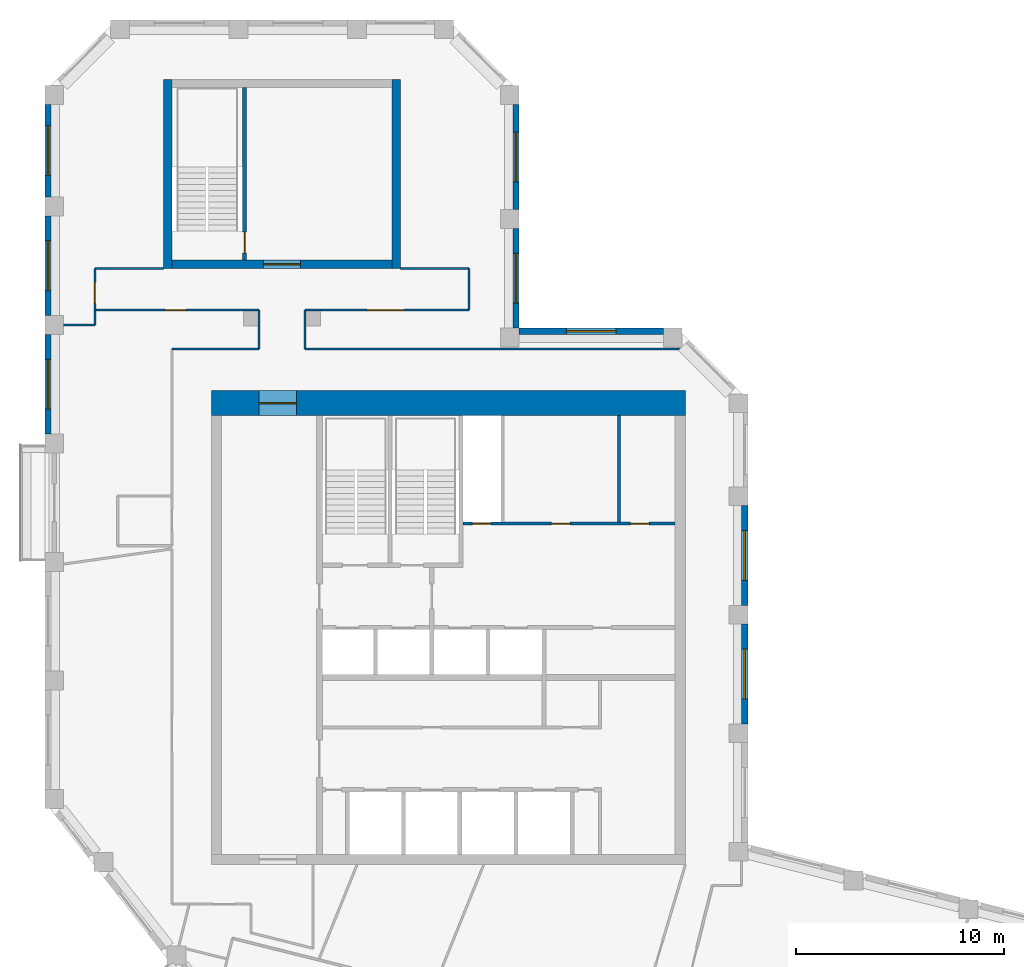
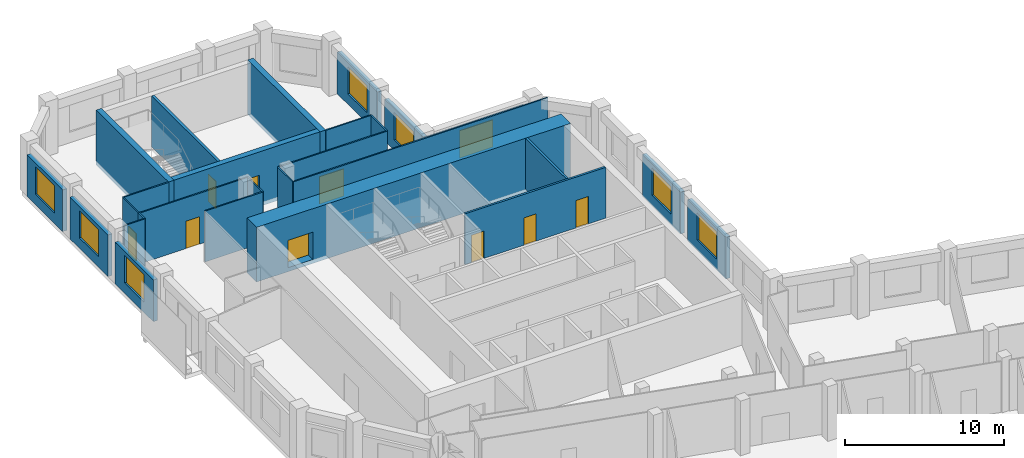
# One storey, part 10 of 13: 27 walls, 9 doors, 8 windows, 17 openings.
"""IFC4 building model written with IfcOpenShell, lengths in metres."""

import ifcopenshell
import ifcopenshell.guid

model = None  # the IFC model being written
_history = None  # IfcOwnerHistory: only IFC2X3 demands one
_inside = {}  # id of a spatial element -> (the spatial element, [elements in it])
_under = {}  # id of a project, library or spatial element -> (it, [spatial elements below it])
_declared = {}  # id of a project -> (the project, [libraries it declares])
_typed = {}  # id of a type object -> (the type object, [elements of that type])
_made_of = {}  # id of a material, layer set ... -> (it, [elements and type objects made of it])


def new_model(schema):
    """Start an empty IFC model of exactly this schema.

    Asked for "IFC4X3", IfcOpenShell would pick the latest addendum, in which some entities
    have other attributes; the version numbers below select the first issue.
    IFC2X3 requires an IfcOwnerHistory on every rooted entity: one is made here for all.
    """
    global model, _history
    if schema == "IFC4X3":
        model = ifcopenshell.file(schema_version=(4, 3, 0, 0))
    else:
        model = ifcopenshell.file(schema=schema)
    _inside.clear()
    _under.clear()
    _declared.clear()
    _typed.clear()
    _made_of.clear()
    _history = None
    if model.schema == "IFC2X3":
        org = make("IfcOrganization", Name="unknown")
        user = make(
            "IfcPersonAndOrganization",
            ThePerson=make("IfcPerson", FamilyName="unknown"),
            TheOrganization=org,
        )
        app = make(
            "IfcApplication",
            ApplicationDeveloper=org,
            Version="unknown",
            ApplicationFullName="unknown",
            ApplicationIdentifier="unknown",
        )
        _history = make(
            "IfcOwnerHistory",
            OwningUser=user,
            OwningApplication=app,
            ChangeAction="ADDED",
            CreationDate=0,
        )
    return model


def make(cls, **values):
    """One entity of the class cls with the attributes given. An attribute that is None is left unset."""
    return model.create_entity(
        cls, **{name: value for name, value in values.items() if value is not None}
    )


def rooted(cls, **values):
    """An entity with a GlobalId (a new one), such as an element, a storey or a relation."""
    return make(cls, GlobalId=ifcopenshell.guid.new(), OwnerHistory=_history, **values)


def si_unit(unit_type, name, prefix=None):
    """IfcSIUnit, for example si_unit("LENGTHUNIT", "METRE", prefix="MILLI")."""
    return make("IfcSIUnit", UnitType=unit_type, Prefix=prefix, Name=name)


def assignment(units):
    """IfcUnitAssignment: the units of a project."""
    return None if units is None else make("IfcUnitAssignment", Units=units)


def point(xyz):
    """IfcCartesianPoint."""
    return None if xyz is None else make("IfcCartesianPoint", Coordinates=xyz)


def direction(xyz):
    """IfcDirection."""
    return None if xyz is None else make("IfcDirection", DirectionRatios=xyz)


def frame(location, z_axis=None, x_axis=None):
    """IfcAxis2Placement3D, a coordinate frame: its origin and axes. An axis left out is left unset."""
    return make(
        "IfcAxis2Placement3D",
        Location=point(location),
        Axis=direction(z_axis),
        RefDirection=direction(x_axis),
    )


def frame_2d(location, x_axis=None):
    """IfcAxis2Placement2D, a coordinate frame in the plane: its origin and x axis."""
    return make(
        "IfcAxis2Placement2D", Location=point(location), RefDirection=direction(x_axis)
    )


def origin():
    """The frame at (0, 0, 0) with its axes left unset."""
    return frame((0.0, 0.0, 0.0))


def place(relative_to, where):
    """IfcLocalPlacement: puts the frame where relative to a parent placement (None: the world)."""
    return make(
        "IfcLocalPlacement", PlacementRelTo=relative_to, RelativePlacement=where
    )


def context(
    kind, dimensions, precision=None, world=None, true_north=None, identifier=None
):
    """IfcGeometricRepresentationContext, for example the 3D "Model" context."""
    return make(
        "IfcGeometricRepresentationContext",
        ContextIdentifier=identifier,
        ContextType=kind,
        CoordinateSpaceDimension=dimensions,
        Precision=precision,
        WorldCoordinateSystem=world,
        TrueNorth=true_north,
    )


def subcontext(parent, identifier, kind, view, scale=None):
    """IfcGeometricRepresentationSubContext, for example "Body" below "Model"."""
    return make(
        "IfcGeometricRepresentationSubContext",
        ContextIdentifier=identifier,
        ContextType=kind,
        ParentContext=parent,
        TargetScale=scale,
        TargetView=view,
    )


def project(units=None, contexts=None):
    """IfcProject with its units and contexts."""
    return rooted(
        "IfcProject",
        Name="project",
        RepresentationContexts=contexts,
        UnitsInContext=assignment(units),
    )


def spatial(cls, under=None, at=None, **own):
    """A site, building, storey or space (cls), placed at a placement, below another one or the project."""
    s = rooted(cls, ObjectPlacement=at, **own)
    if under is not None:
        _under.setdefault(under.id(), (under, []))[1].append(s)
    return s


def profile(cls, at=None, kind="AREA", **sizes):
    """A parametric profile (cls). Its sizes go by their IFC names, for example OverallWidth=200.0."""
    return make(cls, ProfileType=kind, Position=at, **sizes)


def rectangle(**sizes):
    """IfcRectangleProfileDef."""
    return profile("IfcRectangleProfileDef", **sizes)


def extrude(swept, where, along, depth):
    """IfcExtrudedAreaSolid: the profile swept, set in the frame where, extruded along a direction by depth."""
    return make(
        "IfcExtrudedAreaSolid",
        SweptArea=swept,
        Position=where,
        ExtrudedDirection=direction(along),
        Depth=depth,
    )


def shape(context_of_items, identifier, shape_type, items):
    """IfcShapeRepresentation: the items that make up one representation, for example the "Body"."""
    return make(
        "IfcShapeRepresentation",
        ContextOfItems=context_of_items,
        RepresentationIdentifier=identifier,
        RepresentationType=shape_type,
        Items=items,
    )


def material(Name=None, Category=None):
    """IfcMaterial."""
    return make("IfcMaterial", Name=Name, Category=Category)


def layer(
    of_material, thickness, ventilated=None, Name=None, Category=None, Priority=None
):
    """IfcMaterialLayer: one layer of a wall or slab, of a material (None: an air gap)."""
    return make(
        "IfcMaterialLayer",
        Material=of_material,
        LayerThickness=thickness,
        IsVentilated=ventilated,
        Name=Name,
        Category=Category,
        Priority=Priority,
    )


def layer_set(layers, Name=None):
    """IfcMaterialLayerSet."""
    return make("IfcMaterialLayerSet", MaterialLayers=layers, LayerSetName=Name)


def made_of(thing, what):
    """Note that an element or type object is made of a material, layer set ...; save() writes the relation."""
    if what is not None:
        _made_of.setdefault(what.id(), (what, []))[1].append(thing)
    return thing


def type_object(cls, material=None, **own):
    """A type object (cls), such as IfcWallType, which elements share."""
    return made_of(rooted(cls, **own), material)


def element(
    cls,
    number,
    at=None,
    inside=None,
    cuts=None,
    type_object=None,
    material=None,
    context=None,
    identifier="Body",
    shape_type=None,
    held_by="IfcProductDefinitionShape",
    body=None,
    shapes=None,
    **own,
):
    """One element of the class cls, such as IfcWall. Its Tag is "e" and its number.

    at: its placement. inside: the storey or other place that contains it. cuts: it is an
    opening in that element (IfcRelVoidsElement). A single representation is given by context,
    identifier, shape_type and body (its items); several are given by shapes. held_by: the class
    of the entity that holds the representations. save() writes the other relations.
    """
    e = rooted(cls, Tag="e%d" % number, ObjectPlacement=at, **own)
    if body is not None:
        shapes = [shape(context, identifier, shape_type, body)]
    if shapes is not None:
        e.Representation = make(held_by, Representations=shapes)
    if inside is not None:
        _inside.setdefault(inside.id(), (inside, []))[1].append(e)
    if cuts is not None:
        rooted(
            "IfcRelVoidsElement", RelatingBuildingElement=cuts, RelatedOpeningElement=e
        )
    if type_object is not None:
        _typed.setdefault(type_object.id(), (type_object, []))[1].append(e)
    return made_of(e, material)


def fill(opening, filler):
    """IfcRelFillsElement: the door or window that sits in an opening."""
    return rooted(
        "IfcRelFillsElement",
        RelatingOpeningElement=opening,
        RelatedBuildingElement=filler,
    )


def aggregate(whole, parts):
    """IfcRelAggregates: a whole, such as a stair, and the parts it consists of."""
    return rooted("IfcRelAggregates", RelatingObject=whole, RelatedObjects=parts)


def save(model, path):
    """Write the relations noted so far, then the file.

    IfcRelAggregates (storeys below a building ...), IfcRelContainedInSpatialStructure (elements
    in a storey), IfcRelDefinesByType, IfcRelAssociatesMaterial and IfcRelDeclares: one each for
    every whole, place, type object, material and project.
    """
    for whole, parts in _under.values():
        aggregate(whole, parts)
    for where, things in _inside.values():
        rooted(
            "IfcRelContainedInSpatialStructure",
            RelatedElements=things,
            RelatingStructure=where,
        )
    for kind, things in _typed.values():
        rooted("IfcRelDefinesByType", RelatedObjects=things, RelatingType=kind)
    for what, things in _made_of.values():
        rooted("IfcRelAssociatesMaterial", RelatedObjects=things, RelatingMaterial=what)
    for by, libraries in _declared.values():
        rooted("IfcRelDeclares", RelatingContext=by, RelatedDefinitions=libraries)
    model.write(path)


model = new_model("IFC4")

# Units and contexts
model_context = context("Model", 3, precision=1e-05, world=origin(), true_north=direction((0.0, 1.0)))
body_context = subcontext(model_context, "Body", "Model", "MODEL_VIEW")
ifc_project = project(units=[si_unit("LENGTHUNIT", "METRE"), si_unit("AREAUNIT", "SQUARE_METRE"), si_unit("VOLUMEUNIT", "CUBIC_METRE"), si_unit("PLANEANGLEUNIT", "RADIAN"), si_unit("MASSUNIT", "GRAM", prefix="KILO")], contexts=[model_context])

# Site, building, storey
site_placement = place(None, origin())
site = spatial("IfcSite", under=ifc_project, at=site_placement, CompositionType="ELEMENT")
building_placement = place(site_placement, origin())
building = spatial("IfcBuilding", under=site, at=building_placement, Name="Meshkara Civic Tower", CompositionType="ELEMENT")
storey_placement = place(building_placement, frame((0.0, 0.0, 383.39990234375)))
storey = spatial("IfcBuildingStorey", under=building, at=storey_placement, Name="L88", CompositionType="ELEMENT", Elevation=383.39990234375)

# Wall, openings, doors
ifc_material_1 = material(Name="Blockwork", Category="masonry")
ifc_layer_1 = layer(ifc_material_1, 0.14990234375)
ifc_layer_set_1 = layer_set([ifc_layer_1], Name="Core partition 150")
wall_type_1 = type_object("IfcWallType", Name="Core partition 150", PredefinedType="PARTITIONING", material=ifc_layer_set_1)
wall_1_placement = place(storey_placement, frame((20.10009765625, 30.5, 0.0), z_axis=(0.0, 0.0, 1.0), x_axis=(1.0, 0.0, 0.0)))
wall_1 = element("IfcWall", 1, at=wall_1_placement, inside=storey, type_object=wall_type_1, Name="L88-C010", PredefinedType="PARTITIONING", context=body_context, shape_type="SweptSolid", body=[
    extrude(rectangle(XDim=10.199951171875, YDim=0.14990234375, at=frame_2d((5.10009765625, 0.0))), origin(), (0.0, 0.0, 1.0), 3.900146484375),
])
opening_1_placement = place(wall_1_placement, frame((0.449951171875, 0.0, 0.0)))
opening_1 = element("IfcOpeningElement", 2, at=opening_1_placement, cuts=wall_1, Name="Opening L88-K014", PredefinedType="OPENING", context=body_context, shape_type="SweptSolid", body=[
    extrude(rectangle(XDim=0.89990234375, YDim=2.10009765625, at=frame_2d((0.449951171875, 1.050048828125))), frame((0.0, 0.0849609375, 0.0), z_axis=(0.0, -1.0, 0.0), x_axis=(1.0, 0.0, 0.0)), (0.0, 0.0, 1.0), 0.169921875),
])
opening_2_placement = place(wall_1_placement, frame((4.25, 0.0, 0.0)))
opening_2 = element("IfcOpeningElement", 3, at=opening_2_placement, cuts=wall_1, Name="Opening L88-K015", PredefinedType="OPENING", context=body_context, shape_type="SweptSolid", body=[
    extrude(rectangle(XDim=0.89990234375, YDim=2.10009765625, at=frame_2d((0.449951171875, 1.050048828125))), frame((0.0, 0.0849609375, 0.0), z_axis=(0.0, -1.0, 0.0), x_axis=(1.0, 0.0, 0.0)), (0.0, 0.0, 1.0), 0.169921875),
])
opening_3_placement = place(wall_1_placement, frame((8.050048828125, 0.0, 0.0)))
opening_3 = element("IfcOpeningElement", 4, at=opening_3_placement, cuts=wall_1, Name="Opening L88-K016", PredefinedType="OPENING", context=body_context, shape_type="SweptSolid", body=[
    extrude(rectangle(XDim=0.89990234375, YDim=2.10009765625, at=frame_2d((0.449951171875, 1.050048828125))), frame((0.0, 0.0849609375, 0.0), z_axis=(0.0, -1.0, 0.0), x_axis=(1.0, 0.0, 0.0)), (0.0, 0.0, 1.0), 0.169921875),
])
ifc_material_2 = material(Name="Timber door leaf in steel frame", Category="steel")
door_type_1 = type_object("IfcDoorType", Name="Core room door 900", OperationType="SINGLE_SWING_LEFT", PredefinedType="DOOR", material=ifc_material_2)
door_1_placement = place(opening_2_placement, origin())
door_1 = element("IfcDoor", 5, at=door_1_placement, inside=storey, type_object=door_type_1, Name="L88-K015", OperationType="SINGLE_SWING_RIGHT", OverallHeight=2.10009765625, OverallWidth=0.89990234375, PredefinedType="DOOR", context=body_context, shape_type="SweptSolid", body=[
    extrude(rectangle(XDim=0.89990234375, YDim=2.10009765625, at=frame_2d((0.449951171875, 1.050048828125))), frame((0.0, 0.02490234375, 0.0), z_axis=(0.0, -1.0, 0.0), x_axis=(1.0, 0.0, 0.0)), (0.0, 0.0, 1.0), 0.050048828125),
])
fill(opening_2, door_1)
door_2_placement = place(opening_3_placement, origin())
door_2 = element("IfcDoor", 6, at=door_2_placement, inside=storey, type_object=door_type_1, Name="L88-K016", OperationType="SINGLE_SWING_RIGHT", OverallHeight=2.10009765625, OverallWidth=0.89990234375, PredefinedType="DOOR", context=body_context, shape_type="SweptSolid", body=[
    extrude(rectangle(XDim=0.89990234375, YDim=2.10009765625, at=frame_2d((0.449951171875, 1.050048828125))), frame((0.0, 0.02490234375, 0.0), z_axis=(0.0, -1.0, 0.0), x_axis=(1.0, 0.0, 0.0)), (0.0, 0.0, 1.0), 0.050048828125),
])
fill(opening_3, door_2)
ifc_material_3 = material(Name="Fire-rated door leaf in steel frame", Category="steel")
door_type_2 = type_object("IfcDoorType", Name="Riser door 900", OperationType="SINGLE_SWING_LEFT", PredefinedType="DOOR", material=ifc_material_3)
door_3_placement = place(opening_1_placement, origin())
door_3 = element("IfcDoor", 7, at=door_3_placement, inside=storey, type_object=door_type_2, Name="L88-K014", OperationType="SINGLE_SWING_RIGHT", OverallHeight=2.10009765625, OverallWidth=0.89990234375, PredefinedType="DOOR", context=body_context, shape_type="SweptSolid", body=[
    extrude(rectangle(XDim=0.89990234375, YDim=2.10009765625, at=frame_2d((0.449951171875, 1.050048828125))), frame((0.0, 0.02490234375, 0.0), z_axis=(0.0, -1.0, 0.0), x_axis=(1.0, 0.0, 0.0)), (0.0, 0.0, 1.0), 0.050048828125),
])
fill(opening_1, door_3)

# Wall
wall_2_placement = place(storey_placement, frame((27.60009765625, 30.574951171875, 0.0), z_axis=(0.0, 0.0, 1.0), x_axis=(0.0, 1.0, 0.0)))
element("IfcWall", 8, at=wall_2_placement, inside=storey, type_object=wall_type_1, Name="L88-C026", PredefinedType="PARTITIONING", context=body_context, shape_type="SweptSolid", body=[
    extrude(rectangle(XDim=5.125, YDim=0.14990234375, at=frame_2d((2.5625, 0.0))), origin(), (0.0, 0.0, 1.0), 3.900146484375),
])

# Wall, opening, door
ifc_material_4 = material(Name="Concrete C50", Category="concrete")
ifc_layer_2 = layer(ifc_material_4, 1.199951171875)
ifc_layer_set_2 = layer_set([ifc_layer_2], Name="Core ring wall 1200 C50")
wall_type_2 = type_object("IfcWallType", Name="Core ring wall 1200 C50", PredefinedType="SHEAR", material=ifc_layer_set_2)
wall_3_placement = place(storey_placement, frame((8.0, 36.300048828125, -0.2998046875), z_axis=(0.0, 0.0, 1.0), x_axis=(1.0, 0.0, 0.0)))
wall_3 = element("IfcWall", 9, at=wall_3_placement, inside=storey, type_object=wall_type_2, Name="L88-C002", PredefinedType="SHEAR", context=body_context, shape_type="SweptSolid", body=[
    extrude(rectangle(XDim=22.800048828125, YDim=1.199951171875, at=frame_2d((11.39990234375, 0.0))), origin(), (0.0, 0.0, 1.0), 4.199951171875),
])
opening_4_placement = place(wall_3_placement, frame((2.300048828125, 0.0, 0.300048828125)))
opening_4 = element("IfcOpeningElement", 10, at=opening_4_placement, cuts=wall_3, Name="Opening L88-K022", PredefinedType="OPENING", context=body_context, shape_type="SweptSolid", body=[
    extrude(rectangle(XDim=1.800048828125, YDim=2.10009765625, at=frame_2d((0.89990234375, 1.050048828125))), frame((0.0, 0.60986328125, 0.0), z_axis=(0.0, -1.0, 0.0), x_axis=(1.0, 0.0, 0.0)), (0.0, 0.0, 1.0), 1.219970703125),
])
ifc_material_5 = material(Name="Fire-rated door leaf in steel frame", Category="steel")
door_type_3 = type_object("IfcDoorType", Name="Core double door 1800 EI 60", OperationType="DOUBLE_DOOR_SINGLE_SWING", PredefinedType="DOOR", material=ifc_material_5)
door_4_placement = place(opening_4_placement, origin())
door_4 = element("IfcDoor", 11, at=door_4_placement, inside=storey, type_object=door_type_3, Name="L88-K022", OperationType="DOUBLE_DOOR_SINGLE_SWING", OverallHeight=2.10009765625, OverallWidth=1.800048828125, PredefinedType="DOOR", context=body_context, shape_type="SweptSolid", body=[
    extrude(rectangle(XDim=1.800048828125, YDim=2.10009765625, at=frame_2d((0.89990234375, 1.050048828125))), frame((0.0, 0.02490234375, 0.0), z_axis=(0.0, -1.0, 0.0), x_axis=(1.0, 0.0, 0.0)), (0.0, 0.0, 1.0), 0.050048828125),
])
fill(opening_4, door_4)

ifc_material_6 = material(Name="Corridor wall 100")
ifc_layer_3 = layer(ifc_material_6, 0.10009765625)
ifc_layer_set_3 = layer_set([ifc_layer_3], Name="Corridor wall 100")
wall_type_3 = type_object("IfcWallType", Name="Corridor wall 100", PredefinedType="PARTITIONING", material=ifc_layer_set_3)
wall_4_placement = place(storey_placement, frame((2.39990234375, 40.77001953125, 0.0), z_axis=(0.0, 0.0, 1.0), x_axis=(1.0, 0.0, 0.0)))
wall_4 = element("IfcWall", 12, at=wall_4_placement, inside=storey, type_object=wall_type_3, Name="L88-W001", PredefinedType="PARTITIONING", context=body_context, shape_type="SweptSolid", body=[
    extrude(rectangle(XDim=7.900146484375, YDim=0.10009765625, at=frame_2d((3.9501953125, 0.0))), origin(), (0.0, 0.0, 1.0), 3.900146484375),
])
opening_5_placement = place(wall_4_placement, frame((3.3798828125, 0.0, 0.0)))
opening_5 = element("IfcOpeningElement", 13, at=opening_5_placement, cuts=wall_4, Name="Opening L88-D016", PredefinedType="OPENING", context=body_context, shape_type="SweptSolid", body=[
    extrude(rectangle(XDim=1.0, YDim=2.10009765625, at=frame_2d((0.5, 1.050048828125))), frame((0.0, 0.06005859375, 0.0), z_axis=(0.0, -1.0, 0.0), x_axis=(1.0, 0.0, 0.0)), (0.0, 0.0, 1.0), 0.1201171875),
])
ifc_material_7 = material(Name="Door 1000 x 2100")
door_type_4 = type_object("IfcDoorType", Name="Door 1000 x 2100", OperationType="SINGLE_SWING_LEFT", PredefinedType="DOOR", material=ifc_material_7)
door_5_placement = place(opening_5_placement, origin())
door_5 = element("IfcDoor", 14, at=door_5_placement, inside=storey, type_object=door_type_4, Name="L88-D016", OperationType="SINGLE_SWING_RIGHT", OverallHeight=2.10009765625, OverallWidth=1.0, PredefinedType="DOOR", context=body_context, shape_type="SweptSolid", body=[
    extrude(rectangle(XDim=1.0, YDim=2.10009765625, at=frame_2d((0.5, 1.050048828125))), frame((0.0, 0.02490234375, 0.0), z_axis=(0.0, -1.0, 0.0), x_axis=(1.0, 0.0, 0.0)), (0.0, 0.0, 1.0), 0.050048828125),
])
fill(opening_5, door_5)

wall_5_placement = place(storey_placement, frame((2.39990234375, 42.77001953125, 0.0), z_axis=(0.0, 0.0, 1.0), x_axis=(0.0, -1.0, 0.0)))
wall_5 = element("IfcWall", 15, at=wall_5_placement, inside=storey, type_object=wall_type_3, Name="L88-W002", PredefinedType="PARTITIONING", context=body_context, shape_type="SweptSolid", body=[
    extrude(rectangle(XDim=2.0, YDim=0.10009765625, at=frame_2d((1.0, 0.0))), origin(), (0.0, 0.0, 1.0), 3.900146484375),
])
opening_6_placement = place(wall_5_placement, frame((0.679931640625, 0.0, 0.0)))
opening_6 = element("IfcOpeningElement", 16, at=opening_6_placement, cuts=wall_5, Name="Opening L88-D015", PredefinedType="OPENING", context=body_context, shape_type="SweptSolid", body=[
    extrude(rectangle(XDim=1.0, YDim=2.10009765625, at=frame_2d((0.5, 1.050048828125))), frame((0.0, 0.06005859375, 0.0), z_axis=(0.0, -1.0, 0.0), x_axis=(1.0, 0.0, 0.0)), (0.0, 0.0, 1.0), 0.1201171875),
])
door_6_placement = place(opening_6_placement, origin())
door_6 = element("IfcDoor", 17, at=door_6_placement, inside=storey, type_object=door_type_4, Name="L88-D015", OperationType="SINGLE_SWING_LEFT", OverallHeight=2.10009765625, OverallWidth=1.0, PredefinedType="DOOR", context=body_context, shape_type="SweptSolid", body=[
    extrude(rectangle(XDim=1.0, YDim=2.10009765625, at=frame_2d((0.5, 1.050048828125))), frame((0.0, 0.02490234375, 0.0), z_axis=(0.0, -1.0, 0.0), x_axis=(1.0, 0.0, 0.0)), (0.0, 0.0, 1.0), 0.050048828125),
])
fill(opening_6, door_6)

# Walls
wall_6_placement = place(storey_placement, frame((5.699951171875, 42.77001953125, 0.0), z_axis=(0.0, 0.0, 1.0), x_axis=(-1.0, 0.0, 0.0)))
element("IfcWall", 18, at=wall_6_placement, inside=storey, type_object=wall_type_3, Name="L88-W003", PredefinedType="PARTITIONING", context=body_context, shape_type="SweptSolid", body=[
    extrude(rectangle(XDim=3.300048828125, YDim=0.10009765625, at=frame_2d((1.64990234375, 0.0))), origin(), (0.0, 0.0, 1.0), 3.900146484375),
])
wall_7_placement = place(storey_placement, frame((10.300048828125, 38.89990234375, 0.0), z_axis=(0.0, 0.0, 1.0), x_axis=(-1.0, 0.0, 0.0)))
element("IfcWall", 19, at=wall_7_placement, inside=storey, type_object=wall_type_3, Name="L88-W012", PredefinedType="PARTITIONING", context=body_context, shape_type="SweptSolid", body=[
    extrude(rectangle(XDim=4.199951171875, YDim=0.10009765625, at=frame_2d((2.10009765625, 0.0))), origin(), (0.0, 0.0, 1.0), 3.900146484375),
])
for number, where, z_axis, x_axis, name in (
    (20, (10.300048828125, 40.77001953125, 0.0), (0.0, 0.0, 1.0), (0.0, -1.0, 0.0), "L88-W013"),
    (21, (12.5, 38.89990234375, 0.0), (0.0, 0.0, 1.0), (0.0, 1.0, 0.0), "L88-W014"),
):
    element("IfcWall", number, at=place(storey_placement, frame(where, z_axis=z_axis, x_axis=x_axis)), inside=storey, type_object=wall_type_3, Name=name, PredefinedType="PARTITIONING", context=body_context, shape_type="SweptSolid", body=[
        extrude(rectangle(XDim=1.8701171875, YDim=0.10009765625, at=frame_2d((0.93505859375, 0.0))), origin(), (0.0, 0.0, 1.0), 3.900146484375),
    ])

# Wall, opening, door
wall_8_placement = place(storey_placement, frame((12.5, 40.77001953125, 0.0), z_axis=(0.0, 0.0, 1.0), x_axis=(1.0, 0.0, 0.0)))
wall_8 = element("IfcWall", 22, at=wall_8_placement, inside=storey, type_object=wall_type_3, Name="L88-W015", PredefinedType="PARTITIONING", context=body_context, shape_type="SweptSolid", body=[
    extrude(rectangle(XDim=7.89990234375, YDim=0.10009765625, at=frame_2d((3.949951171875, 0.0))), origin(), (0.0, 0.0, 1.0), 3.900146484375),
])
opening_7_placement = place(wall_8_placement, frame((2.97998046875, 0.0, 0.0)))
opening_7 = element("IfcOpeningElement", 23, at=opening_7_placement, cuts=wall_8, Name="Opening L88-D017", PredefinedType="OPENING", context=body_context, shape_type="SweptSolid", body=[
    extrude(rectangle(XDim=1.800048828125, YDim=2.10009765625, at=frame_2d((0.89990234375, 1.050048828125))), frame((0.0, 0.06005859375, 0.0), z_axis=(0.0, -1.0, 0.0), x_axis=(1.0, 0.0, 0.0)), (0.0, 0.0, 1.0), 0.1201171875),
])
ifc_material_8 = material(Name="Door pair 1800 x 2100")
door_type_5 = type_object("IfcDoorType", Name="Door pair 1800 x 2100", OperationType="SINGLE_SWING_LEFT", PredefinedType="DOOR", material=ifc_material_8)
door_7_placement = place(opening_7_placement, origin())
door_7 = element("IfcDoor", 24, at=door_7_placement, inside=storey, type_object=door_type_5, Name="L88-D017", OperationType="DOUBLE_DOOR_SINGLE_SWING", OverallHeight=2.10009765625, OverallWidth=1.800048828125, PredefinedType="DOOR", context=body_context, shape_type="SweptSolid", body=[
    extrude(rectangle(XDim=1.800048828125, YDim=2.10009765625, at=frame_2d((0.89990234375, 1.050048828125))), frame((0.0, 0.02490234375, 0.0), z_axis=(0.0, -1.0, 0.0), x_axis=(1.0, 0.0, 0.0)), (0.0, 0.0, 1.0), 0.050048828125),
])
fill(opening_7, door_7)

# Walls
wall_9_placement = place(storey_placement, frame((20.39990234375, 40.77001953125, 0.0), z_axis=(0.0, 0.0, 1.0), x_axis=(0.0, 1.0, 0.0)))
element("IfcWall", 25, at=wall_9_placement, inside=storey, type_object=wall_type_3, Name="L88-W017", PredefinedType="PARTITIONING", context=body_context, shape_type="SweptSolid", body=[
    extrude(rectangle(XDim=2.0, YDim=0.10009765625, at=frame_2d((1.0, 0.0))), origin(), (0.0, 0.0, 1.0), 3.900146484375),
])
wall_10_placement = place(storey_placement, frame((20.39990234375, 42.77001953125, 0.0), z_axis=(0.0, 0.0, 1.0), x_axis=(-1.0, 0.0, 0.0)))
element("IfcWall", 26, at=wall_10_placement, inside=storey, type_object=wall_type_3, Name="L88-W018", PredefinedType="PARTITIONING", context=body_context, shape_type="SweptSolid", body=[
    extrude(rectangle(XDim=3.2998046875, YDim=0.10009765625, at=frame_2d((1.64990234375, 0.0))), origin(), (0.0, 0.0, 1.0), 3.900146484375),
])
wall_11_placement = place(storey_placement, frame((30.9560546875, 38.89990234375, 0.0), z_axis=(0.0, 0.0, 1.0), x_axis=(-1.0, 0.0, 0.0)))
element("IfcWall", 27, at=wall_11_placement, inside=storey, type_object=wall_type_3, Name="L88-W021", PredefinedType="PARTITIONING", context=body_context, shape_type="SweptSolid", body=[
    extrude(rectangle(XDim=18.4560546875, YDim=0.10009765625, at=frame_2d((9.22802734375, 0.0))), origin(), (0.0, 0.0, 1.0), 3.900146484375),
])

# Wall, opening, window
ifc_material_9 = material(Name="Insulated infill panel with bronze anodised aluminium cladding", Category="aluminium")
ifc_layer_4 = layer(ifc_material_9, 0.300048828125)
ifc_layer_set_4 = layer_set([ifc_layer_4], Name="EXTERNAL INFILL WALL 300")
wall_type_4 = type_object("IfcWallType", Name="EXTERNAL INFILL WALL 300", PredefinedType="SOLIDWALL", material=ifc_layer_set_4)
wall_12_placement = place(storey_placement, frame((33.64990234375, 20.868896484375, 0.0), z_axis=(0.0, 0.0, 1.0), x_axis=(0.0, 1.0, 0.0)))
wall_12 = element("IfcWall", 28, at=wall_12_placement, inside=storey, type_object=wall_type_4, Name="External wall", PredefinedType="SOLIDWALL", context=body_context, shape_type="SweptSolid", body=[
    extrude(rectangle(XDim=4.800048828125, YDim=0.300048828125, at=frame_2d((2.39990234375, 0.0))), origin(), (0.0, 0.0, 1.0), 3.2001953125),
])
opening_8_placement = place(wall_12_placement, frame((1.199951171875, 0.0, 0.800048828125)))
opening_8 = element("IfcOpeningElement", 29, at=opening_8_placement, cuts=wall_12, Name="Opening W7", PredefinedType="OPENING", context=body_context, shape_type="SweptSolid", body=[
    extrude(rectangle(XDim=2.39990234375, YDim=2.10009765625, at=frame_2d((1.199951171875, 1.050048828125))), frame((0.0, 0.159912109375, 0.0), z_axis=(0.0, -1.0, 0.0), x_axis=(1.0, 0.0, 0.0)), (0.0, 0.0, 1.0), 0.320068359375),
])
ifc_material_10 = material(Name="Tinted double glazing", Category="glass")
window_type = type_object("IfcWindowType", Name="WINDOW 2400x2100", PartitioningType="DOUBLE_PANEL_VERTICAL", PredefinedType="WINDOW", material=ifc_material_10)
window_1_placement = place(opening_8_placement, origin())
window_1 = element("IfcWindow", 30, at=window_1_placement, inside=storey, type_object=window_type, Name="Window", OverallHeight=2.10009765625, OverallWidth=2.39990234375, PartitioningType="DOUBLE_PANEL_VERTICAL", PredefinedType="WINDOW", context=body_context, shape_type="SweptSolid", body=[
    extrude(rectangle(XDim=2.39990234375, YDim=2.10009765625, at=frame_2d((1.199951171875, 1.050048828125))), frame((0.0, 0.030029296875, 0.0), z_axis=(0.0, -1.0, 0.0), x_axis=(1.0, 0.0, 0.0)), (0.0, 0.0, 1.0), 0.06005859375),
])
fill(opening_8, window_1)

wall_13_placement = place(storey_placement, frame((33.64990234375, 26.569091796875, 0.0), z_axis=(0.0, 0.0, 1.0), x_axis=(0.0, 1.0, 0.0)))
wall_13 = element("IfcWall", 31, at=wall_13_placement, inside=storey, type_object=wall_type_4, Name="External wall", PredefinedType="SOLIDWALL", context=body_context, shape_type="SweptSolid", body=[
    extrude(rectangle(XDim=4.7998046875, YDim=0.300048828125, at=frame_2d((2.39990234375, 0.0))), origin(), (0.0, 0.0, 1.0), 3.2001953125),
])
opening_9_placement = place(wall_13_placement, frame((1.199951171875, 0.0, 0.800048828125)))
opening_9 = element("IfcOpeningElement", 32, at=opening_9_placement, cuts=wall_13, Name="Opening W7", PredefinedType="OPENING", context=body_context, shape_type="SweptSolid", body=[
    extrude(rectangle(XDim=2.39990234375, YDim=2.10009765625, at=frame_2d((1.199951171875, 1.050048828125))), frame((0.0, 0.159912109375, 0.0), z_axis=(0.0, -1.0, 0.0), x_axis=(1.0, 0.0, 0.0)), (0.0, 0.0, 1.0), 0.320068359375),
])
window_2_placement = place(opening_9_placement, origin())
window_2 = element("IfcWindow", 33, at=window_2_placement, inside=storey, type_object=window_type, Name="Window", OverallHeight=2.10009765625, OverallWidth=2.39990234375, PartitioningType="DOUBLE_PANEL_VERTICAL", PredefinedType="WINDOW", context=body_context, shape_type="SweptSolid", body=[
    extrude(rectangle(XDim=2.39990234375, YDim=2.10009765625, at=frame_2d((1.199951171875, 1.050048828125))), frame((0.0, 0.030029296875, 0.0), z_axis=(0.0, -1.0, 0.0), x_axis=(1.0, 0.0, 0.0)), (0.0, 0.0, 1.0), 0.06005859375),
])
fill(opening_9, window_2)

wall_14_placement = place(storey_placement, frame((29.743896484375, 39.75, 0.0), z_axis=(0.0, 0.0, 1.0), x_axis=(-1.0, 0.0, 0.0)))
wall_14 = element("IfcWall", 34, at=wall_14_placement, inside=storey, type_object=wall_type_4, Name="External wall", PredefinedType="SOLIDWALL", context=body_context, shape_type="SweptSolid", body=[
    extrude(rectangle(XDim=6.94384765625, YDim=0.300048828125, at=frame_2d((3.471923828125, 0.0))), origin(), (0.0, 0.0, 1.0), 3.2001953125),
])
opening_10_placement = place(wall_14_placement, frame((2.27197265625, 0.0, 0.800048828125)))
opening_10 = element("IfcOpeningElement", 35, at=opening_10_placement, cuts=wall_14, Name="Opening W7", PredefinedType="OPENING", context=body_context, shape_type="SweptSolid", body=[
    extrude(rectangle(XDim=2.39990234375, YDim=2.10009765625, at=frame_2d((1.199951171875, 1.050048828125))), frame((0.0, 0.159912109375, 0.0), z_axis=(0.0, -1.0, 0.0), x_axis=(1.0, 0.0, 0.0)), (0.0, 0.0, 1.0), 0.320068359375),
])
window_3_placement = place(opening_10_placement, origin())
window_3 = element("IfcWindow", 36, at=window_3_placement, inside=storey, type_object=window_type, Name="Window", OverallHeight=2.10009765625, OverallWidth=2.39990234375, PartitioningType="DOUBLE_PANEL_VERTICAL", PredefinedType="WINDOW", context=body_context, shape_type="SweptSolid", body=[
    extrude(rectangle(XDim=2.39990234375, YDim=2.10009765625, at=frame_2d((1.199951171875, 1.050048828125))), frame((0.0, 0.030029296875, 0.0), z_axis=(0.0, -1.0, 0.0), x_axis=(1.0, 0.0, 0.0)), (0.0, 0.0, 1.0), 0.06005859375),
])
fill(opening_10, window_3)

wall_15_placement = place(storey_placement, frame((22.64990234375, 39.89990234375, 0.0), z_axis=(0.0, 0.0, 1.0), x_axis=(0.0, 1.0, 0.0)))
wall_15 = element("IfcWall", 37, at=wall_15_placement, inside=storey, type_object=wall_type_4, Name="External wall", PredefinedType="SOLIDWALL", context=body_context, shape_type="SweptSolid", body=[
    extrude(rectangle(XDim=4.800048828125, YDim=0.300048828125, at=frame_2d((2.39990234375, 0.0))), origin(), (0.0, 0.0, 1.0), 3.2001953125),
])
opening_11_placement = place(wall_15_placement, frame((1.199951171875, 0.0, 0.800048828125)))
opening_11 = element("IfcOpeningElement", 38, at=opening_11_placement, cuts=wall_15, Name="Opening W7", PredefinedType="OPENING", context=body_context, shape_type="SweptSolid", body=[
    extrude(rectangle(XDim=2.39990234375, YDim=2.10009765625, at=frame_2d((1.199951171875, 1.050048828125))), frame((0.0, 0.159912109375, 0.0), z_axis=(0.0, -1.0, 0.0), x_axis=(1.0, 0.0, 0.0)), (0.0, 0.0, 1.0), 0.320068359375),
])
window_4_placement = place(opening_11_placement, origin())
window_4 = element("IfcWindow", 39, at=window_4_placement, inside=storey, type_object=window_type, Name="Window", OverallHeight=2.10009765625, OverallWidth=2.39990234375, PartitioningType="DOUBLE_PANEL_VERTICAL", PredefinedType="WINDOW", context=body_context, shape_type="SweptSolid", body=[
    extrude(rectangle(XDim=2.39990234375, YDim=2.10009765625, at=frame_2d((1.199951171875, 1.050048828125))), frame((0.0, 0.030029296875, 0.0), z_axis=(0.0, -1.0, 0.0), x_axis=(1.0, 0.0, 0.0)), (0.0, 0.0, 1.0), 0.06005859375),
])
fill(opening_11, window_4)

wall_16_placement = place(storey_placement, frame((22.64990234375, 45.60009765625, 0.0), z_axis=(0.0, 0.0, 1.0), x_axis=(0.0, 1.0, 0.0)))
wall_16 = element("IfcWall", 40, at=wall_16_placement, inside=storey, type_object=wall_type_4, Name="External wall", PredefinedType="SOLIDWALL", context=body_context, shape_type="SweptSolid", body=[
    extrude(rectangle(XDim=5.06396484375, YDim=0.300048828125, at=frame_2d((2.531982421875, 0.0))), origin(), (0.0, 0.0, 1.0), 3.2001953125),
])
opening_12_placement = place(wall_16_placement, frame((1.33203125, 0.0, 0.800048828125)))
opening_12 = element("IfcOpeningElement", 41, at=opening_12_placement, cuts=wall_16, Name="Opening W7", PredefinedType="OPENING", context=body_context, shape_type="SweptSolid", body=[
    extrude(rectangle(XDim=2.39990234375, YDim=2.10009765625, at=frame_2d((1.199951171875, 1.050048828125))), frame((0.0, 0.159912109375, 0.0), z_axis=(0.0, -1.0, 0.0), x_axis=(1.0, 0.0, 0.0)), (0.0, 0.0, 1.0), 0.320068359375),
])
window_5_placement = place(opening_12_placement, origin())
window_5 = element("IfcWindow", 42, at=window_5_placement, inside=storey, type_object=window_type, Name="Window", OverallHeight=2.10009765625, OverallWidth=2.39990234375, PartitioningType="DOUBLE_PANEL_VERTICAL", PredefinedType="WINDOW", context=body_context, shape_type="SweptSolid", body=[
    extrude(rectangle(XDim=2.39990234375, YDim=2.10009765625, at=frame_2d((1.199951171875, 1.050048828125))), frame((0.0, 0.030029296875, 0.0), z_axis=(0.0, -1.0, 0.0), x_axis=(1.0, 0.0, 0.0)), (0.0, 0.0, 1.0), 0.06005859375),
])
fill(opening_12, window_5)

wall_17_placement = place(storey_placement, frame((0.14990234375, 50.6640625, 0.0), z_axis=(0.0, 0.0, 1.0), x_axis=(0.0, -1.0, 0.0)))
wall_17 = element("IfcWall", 43, at=wall_17_placement, inside=storey, type_object=wall_type_4, Name="External wall", PredefinedType="SOLIDWALL", context=body_context, shape_type="SweptSolid", body=[
    extrude(rectangle(XDim=4.458984375, YDim=0.300048828125, at=frame_2d((2.2294921875, 0.0))), origin(), (0.0, 0.0, 1.0), 3.2001953125),
])
opening_13_placement = place(wall_17_placement, frame((1.029052734375, 0.0, 0.800048828125)))
opening_13 = element("IfcOpeningElement", 44, at=opening_13_placement, cuts=wall_17, Name="Opening W7", PredefinedType="OPENING", context=body_context, shape_type="SweptSolid", body=[
    extrude(rectangle(XDim=2.39990234375, YDim=2.10009765625, at=frame_2d((1.199951171875, 1.050048828125))), frame((0.0, 0.159912109375, 0.0), z_axis=(0.0, -1.0, 0.0), x_axis=(1.0, 0.0, 0.0)), (0.0, 0.0, 1.0), 0.320068359375),
])
window_6_placement = place(opening_13_placement, origin())
window_6 = element("IfcWindow", 45, at=window_6_placement, inside=storey, type_object=window_type, Name="Window", OverallHeight=2.10009765625, OverallWidth=2.39990234375, PartitioningType="DOUBLE_PANEL_VERTICAL", PredefinedType="WINDOW", context=body_context, shape_type="SweptSolid", body=[
    extrude(rectangle(XDim=2.39990234375, YDim=2.10009765625, at=frame_2d((1.199951171875, 1.050048828125))), frame((0.0, 0.030029296875, 0.0), z_axis=(0.0, -1.0, 0.0), x_axis=(1.0, 0.0, 0.0)), (0.0, 0.0, 1.0), 0.06005859375),
])
fill(opening_13, window_6)

wall_18_placement = place(storey_placement, frame((0.14990234375, 45.304931640625, 0.0), z_axis=(0.0, 0.0, 1.0), x_axis=(0.0, -1.0, 0.0)))
wall_18 = element("IfcWall", 46, at=wall_18_placement, inside=storey, type_object=wall_type_4, Name="External wall", PredefinedType="SOLIDWALL", context=body_context, shape_type="SweptSolid", body=[
    extrude(rectangle(XDim=4.800048828125, YDim=0.300048828125, at=frame_2d((2.39990234375, 0.0))), origin(), (0.0, 0.0, 1.0), 3.2001953125),
])
opening_14_placement = place(wall_18_placement, frame((1.199951171875, 0.0, 0.800048828125)))
opening_14 = element("IfcOpeningElement", 47, at=opening_14_placement, cuts=wall_18, Name="Opening W7", PredefinedType="OPENING", context=body_context, shape_type="SweptSolid", body=[
    extrude(rectangle(XDim=2.39990234375, YDim=2.10009765625, at=frame_2d((1.199951171875, 1.050048828125))), frame((0.0, 0.159912109375, 0.0), z_axis=(0.0, -1.0, 0.0), x_axis=(1.0, 0.0, 0.0)), (0.0, 0.0, 1.0), 0.320068359375),
])
window_7_placement = place(opening_14_placement, origin())
window_7 = element("IfcWindow", 48, at=window_7_placement, inside=storey, type_object=window_type, Name="Window", OverallHeight=2.10009765625, OverallWidth=2.39990234375, PartitioningType="DOUBLE_PANEL_VERTICAL", PredefinedType="WINDOW", context=body_context, shape_type="SweptSolid", body=[
    extrude(rectangle(XDim=2.39990234375, YDim=2.10009765625, at=frame_2d((1.199951171875, 1.050048828125))), frame((0.0, 0.030029296875, 0.0), z_axis=(0.0, -1.0, 0.0), x_axis=(1.0, 0.0, 0.0)), (0.0, 0.0, 1.0), 0.06005859375),
])
fill(opening_14, window_7)

wall_19_placement = place(storey_placement, frame((0.14990234375, 39.60498046875, 0.0), z_axis=(0.0, 0.0, 1.0), x_axis=(0.0, -1.0, 0.0)))
wall_19 = element("IfcWall", 49, at=wall_19_placement, inside=storey, type_object=wall_type_4, Name="External wall", PredefinedType="SOLIDWALL", context=body_context, shape_type="SweptSolid", body=[
    extrude(rectangle(XDim=4.800048828125, YDim=0.300048828125, at=frame_2d((2.39990234375, 0.0))), origin(), (0.0, 0.0, 1.0), 3.2001953125),
])
opening_15_placement = place(wall_19_placement, frame((1.199951171875, 0.0, 0.800048828125)))
opening_15 = element("IfcOpeningElement", 50, at=opening_15_placement, cuts=wall_19, Name="Opening W7", PredefinedType="OPENING", context=body_context, shape_type="SweptSolid", body=[
    extrude(rectangle(XDim=2.39990234375, YDim=2.10009765625, at=frame_2d((1.199951171875, 1.050048828125))), frame((0.0, 0.159912109375, 0.0), z_axis=(0.0, -1.0, 0.0), x_axis=(1.0, 0.0, 0.0)), (0.0, 0.0, 1.0), 0.320068359375),
])
window_8_placement = place(opening_15_placement, origin())
window_8 = element("IfcWindow", 51, at=window_8_placement, inside=storey, type_object=window_type, Name="Window", OverallHeight=2.10009765625, OverallWidth=2.39990234375, PartitioningType="DOUBLE_PANEL_VERTICAL", PredefinedType="WINDOW", context=body_context, shape_type="SweptSolid", body=[
    extrude(rectangle(XDim=2.39990234375, YDim=2.10009765625, at=frame_2d((1.199951171875, 1.050048828125))), frame((0.0, 0.030029296875, 0.0), z_axis=(0.0, -1.0, 0.0), x_axis=(1.0, 0.0, 0.0)), (0.0, 0.0, 1.0), 0.06005859375),
])
fill(opening_15, window_8)

# Walls
ifc_material_11 = material(Name="Concrete C50", Category="concrete")
ifc_layer_5 = layer(ifc_material_11, 0.39990234375)
ifc_layer_set_5 = layer_set([ifc_layer_5], Name="End core ring wall 400 C50")
wall_type_5 = type_object("IfcWallType", Name="End core ring wall 400 C50", PredefinedType="SHEAR", material=ifc_layer_set_5)
for number, where, z_axis, x_axis, name in (
    (52, (5.89990234375, 42.77001953125, -0.2998046875), (0.0, 0.0, 1.0), (0.0, 1.0, 0.0), "L88-C027"),
    (53, (16.89990234375, 42.77001953125, -0.2998046875), (0.0, 0.0, 1.0), (0.0, 1.0, 0.0), "L88-C028"),
):
    element("IfcWall", number, at=place(storey_placement, frame(where, z_axis=z_axis, x_axis=x_axis)), inside=storey, type_object=wall_type_5, Name=name, PredefinedType="SHEAR", context=body_context, shape_type="SweptSolid", body=[
        extrude(rectangle(XDim=9.10009765625, YDim=0.39990234375, at=frame_2d((4.550048828125, 0.0))), origin(), (0.0, 0.0, 1.0), 4.199951171875),
    ])

# Wall, opening, door
wall_20_placement = place(storey_placement, frame((6.10009765625, 42.969970703125, -0.2998046875), z_axis=(0.0, 0.0, 1.0), x_axis=(1.0, 0.0, 0.0)))
wall_20 = element("IfcWall", 54, at=wall_20_placement, inside=storey, type_object=wall_type_5, Name="L88-C029", PredefinedType="SHEAR", context=body_context, shape_type="SweptSolid", body=[
    extrude(rectangle(XDim=10.599853515625, YDim=0.39990234375, at=frame_2d((5.2998046875, 0.0))), origin(), (0.0, 0.0, 1.0), 4.199951171875),
])
opening_16_placement = place(wall_20_placement, frame((4.39990234375, 0.0, 0.300048828125)))
opening_16 = element("IfcOpeningElement", 55, at=opening_16_placement, cuts=wall_20, Name="Opening L88-K102", PredefinedType="OPENING", context=body_context, shape_type="SweptSolid", body=[
    extrude(rectangle(XDim=1.800048828125, YDim=2.10009765625, at=frame_2d((0.89990234375, 1.050048828125))), frame((0.0, 0.2099609375, 0.0), z_axis=(0.0, -1.0, 0.0), x_axis=(1.0, 0.0, 0.0)), (0.0, 0.0, 1.0), 0.419921875),
])
door_8_placement = place(opening_16_placement, origin())
door_8 = element("IfcDoor", 56, at=door_8_placement, inside=storey, type_object=door_type_3, Name="L88-K102", OperationType="DOUBLE_DOOR_SINGLE_SWING", OverallHeight=2.10009765625, OverallWidth=1.800048828125, PredefinedType="DOOR", context=body_context, shape_type="SweptSolid", body=[
    extrude(rectangle(XDim=1.800048828125, YDim=2.10009765625, at=frame_2d((0.89990234375, 1.050048828125))), frame((0.0, 0.02490234375, 0.0), z_axis=(0.0, -1.0, 0.0), x_axis=(1.0, 0.0, 0.0)), (0.0, 0.0, 1.0), 0.050048828125),
])
fill(opening_16, door_8)

# Walls
ifc_material_12 = material(Name="Partition 100")
ifc_layer_6 = layer(ifc_material_12, 0.10009765625)
ifc_layer_set_6 = layer_set([ifc_layer_6], Name="Partition 100")
wall_type_6 = type_object("IfcWallType", Name="Partition 100", PredefinedType="PARTITIONING", material=ifc_layer_set_6)
wall_21_placement = place(storey_placement, frame((2.39990234375, 40.054931640625, 0.0), z_axis=(0.0, 0.0, 1.0), x_axis=(-1.0, 0.0, 0.0)))
element("IfcWall", 57, at=wall_21_placement, inside=storey, type_object=wall_type_6, Name="L88-W035", PredefinedType="PARTITIONING", context=body_context, shape_type="SweptSolid", body=[
    extrude(rectangle(XDim=1.5, YDim=0.10009765625, at=frame_2d((0.75, 0.0))), origin(), (0.0, 0.0, 1.0), 3.900146484375),
])
wall_22_placement = place(storey_placement, frame((2.39990234375, 40.77392578125, 0.0), z_axis=(0.0, 0.0, 1.0), x_axis=(0.0, -1.0, 0.0)))
element("IfcWall", 58, at=wall_22_placement, inside=storey, type_object=wall_type_6, Name="L88-W036", PredefinedType="PARTITIONING", context=body_context, shape_type="SweptSolid", body=[
    extrude(rectangle(XDim=0.718994140625, YDim=0.10009765625, at=frame_2d((0.359375, 0.0))), origin(), (0.0, 0.0, 1.0), 3.900146484375),
])

# Wall, opening, door
ifc_material_13 = material(Name="Concrete C40/50", Category="concrete")
ifc_layer_7 = layer(ifc_material_13, 0.199951171875)
ifc_layer_set_7 = layer_set([ifc_layer_7], Name="Stair enclosure wall 200 C40/50")
wall_type_7 = type_object("IfcWallType", Name="Stair enclosure wall 200 C40/50", PredefinedType="SOLIDWALL", material=ifc_layer_set_7)
wall_23_placement = place(storey_placement, frame((9.60009765625, 43.169921875, 0.0), z_axis=(0.0, 0.0, 1.0), x_axis=(0.0, 1.0, 0.0)))
wall_23 = element("IfcWall", 59, at=wall_23_placement, inside=storey, type_object=wall_type_7, Name="L88-C031", PredefinedType="SOLIDWALL", context=body_context, shape_type="SweptSolid", body=[
    extrude(rectangle(XDim=8.300048828125, YDim=0.199951171875, at=frame_2d((4.14990234375, 0.0))), origin(), (0.0, 0.0, 1.0), 3.900146484375),
])
opening_17_placement = place(wall_23_placement, frame((0.35009765625, 0.0, 0.0)))
opening_17 = element("IfcOpeningElement", 60, at=opening_17_placement, cuts=wall_23, Name="Opening L88-K101", PredefinedType="OPENING", context=body_context, shape_type="SweptSolid", body=[
    extrude(rectangle(XDim=1.0, YDim=2.10009765625, at=frame_2d((0.5, 1.050048828125))), frame((0.0, 0.10986328125, 0.0), z_axis=(0.0, -1.0, 0.0), x_axis=(1.0, 0.0, 0.0)), (0.0, 0.0, 1.0), 0.219970703125),
])
ifc_material_14 = material(Name="Fire-rated door leaf in steel frame", Category="steel")
door_type_6 = type_object("IfcDoorType", Name="Stair door 1000 EI 120", OperationType="SINGLE_SWING_LEFT", PredefinedType="DOOR", material=ifc_material_14)
door_9_placement = place(opening_17_placement, origin())
door_9 = element("IfcDoor", 61, at=door_9_placement, inside=storey, type_object=door_type_6, Name="L88-K101", OperationType="SINGLE_SWING_RIGHT", OverallHeight=2.10009765625, OverallWidth=1.0, PredefinedType="DOOR", context=body_context, shape_type="SweptSolid", body=[
    extrude(rectangle(XDim=1.0, YDim=2.10009765625, at=frame_2d((0.5, 1.050048828125))), frame((0.0, 0.02490234375, 0.0), z_axis=(0.0, -1.0, 0.0), x_axis=(1.0, 0.0, 0.0)), (0.0, 0.0, 1.0), 0.050048828125),
])
fill(opening_17, door_9)

save(model, "model.ifc")
